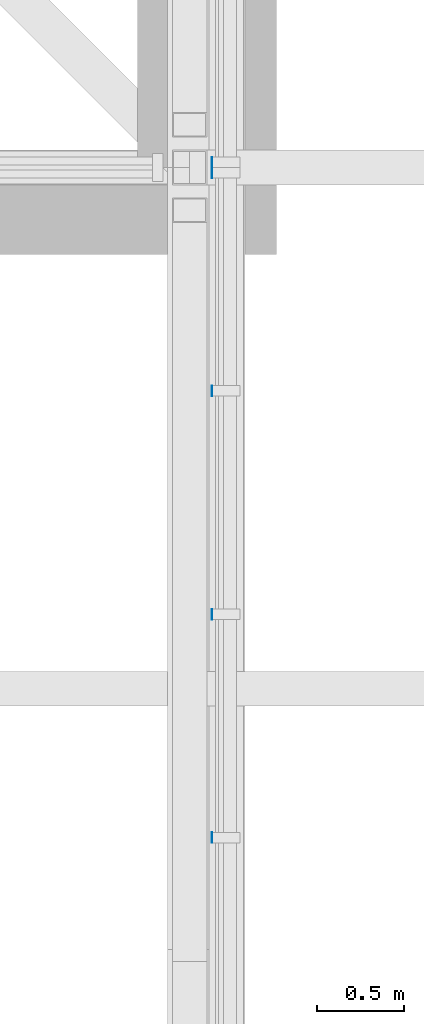
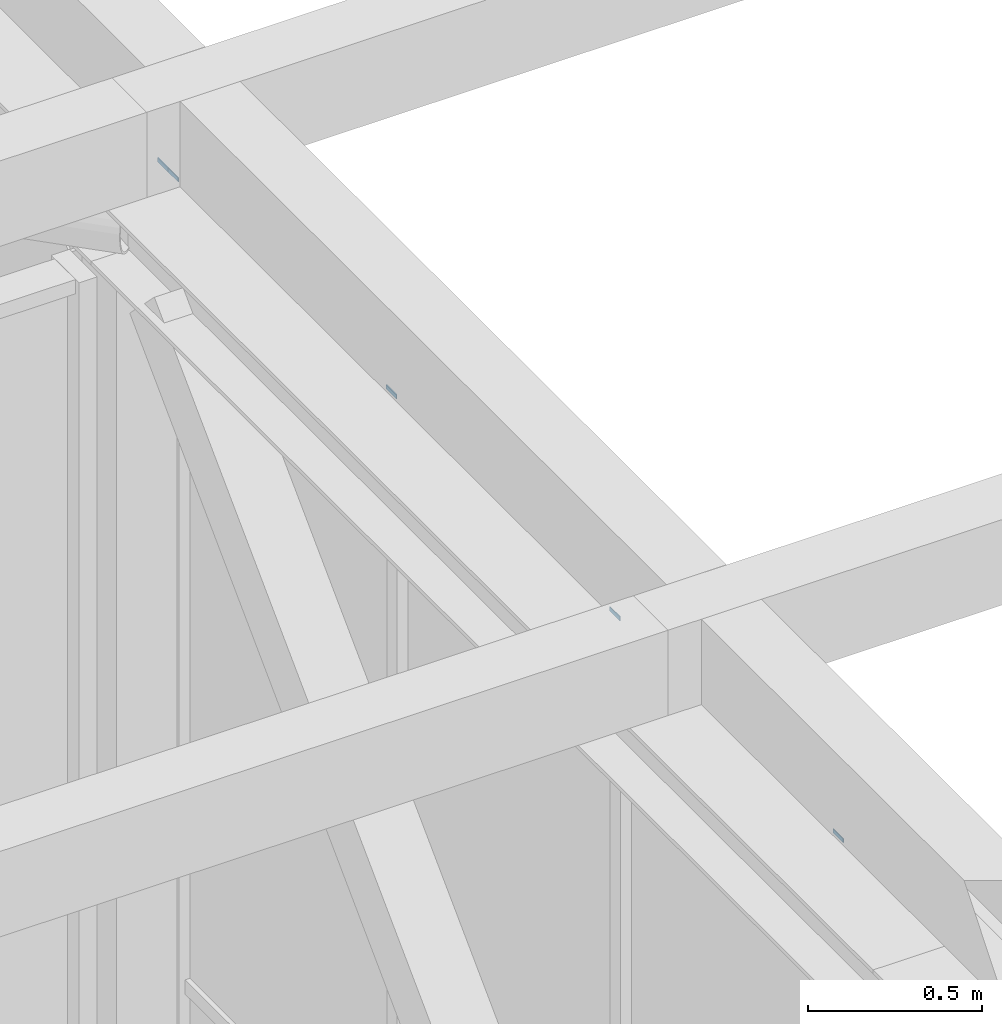
# One storey, part 429 of 646: 5 discrete accessories.
"""IFC4 building model written with IfcOpenShell, lengths in metres."""

from ifc_helpers import new_model, si_unit, direction, frame, origin, origin_2d, place, context, subcontext, project, spatial, rectangle, extrude, material, type_object, element, save


model = new_model("IFC4")

# Units and contexts
model_context = context("Model", 3, precision=1e-05, world=origin(), true_north=direction((0.0, 1.0)))
body_context = subcontext(model_context, "Body", "Model", "MODEL_VIEW")
ifc_project = project(units=[si_unit("LENGTHUNIT", "METRE"), si_unit("AREAUNIT", "SQUARE_METRE"), si_unit("VOLUMEUNIT", "CUBIC_METRE"), si_unit("PLANEANGLEUNIT", "RADIAN"), si_unit("MASSUNIT", "GRAM", prefix="KILO")], contexts=[model_context])

# Site, building, storey
site_placement = place(None, origin())
site = spatial("IfcSite", under=ifc_project, at=site_placement, CompositionType="ELEMENT")
building_placement = place(site_placement, origin())
building = spatial("IfcBuilding", under=site, at=building_placement, Name="Silverbay Arena", CompositionType="ELEMENT")
storey_placement = place(building_placement, frame((0.0, 0.0, 33.5)))
storey = spatial("IfcBuildingStorey", under=building, at=storey_placement, Name="L05", CompositionType="ELEMENT", Elevation=33.5)

# Discrete accessories
ifc_material = material(Name="Steel S355", Category="steel")
discrete_accessory_type = type_object("IfcDiscreteAccessoryType", Name="Steel bracket plate", PredefinedType="BRACKET", material=ifc_material)
for number, where, z_axis, x_axis, name in (
    (1, (207.128662109375, 14.142822265625, 12.98583984375), (0.0, 0.0, 1.0), (1.0, 0.0, 0.0), "Curtain wall packing plate"),
    (2, (207.128662109375, 15.428466796875, 12.98583984375), (0.0, 0.0, 1.0), (1.0, 0.0, 0.0), "Curtain wall packing plate"),
    (3, (207.128662109375, 16.71435546875, 12.98583984375), (0.0, 0.0, 1.0), (1.0, 0.0, 0.0), "Curtain wall packing plate"),
    (4, (207.128662109375, 17.969970703125, 12.98583984375), (0.0, 0.0, 1.0), (1.0, 0.0, 0.0), "Curtain wall packing plate"),
    (5, (207.128662109375, 18.030029296875, 12.98583984375), (0.0, 0.0, 1.0), (1.0, 0.0, 0.0), "Curtain wall packing plate"),
):
    element("IfcDiscreteAccessory", number, at=place(storey_placement, frame(where, z_axis=z_axis, x_axis=x_axis)), inside=storey, type_object=discrete_accessory_type, Name=name, PredefinedType="BRACKET", context=body_context, shape_type="SweptSolid", body=[
        extrude(rectangle(XDim=0.002685546875, YDim=0.06005859375, at=origin_2d()), origin(), (0.0, 0.0, 1.0), 0.01416015625),
    ])

save(model, "model.ifc")
